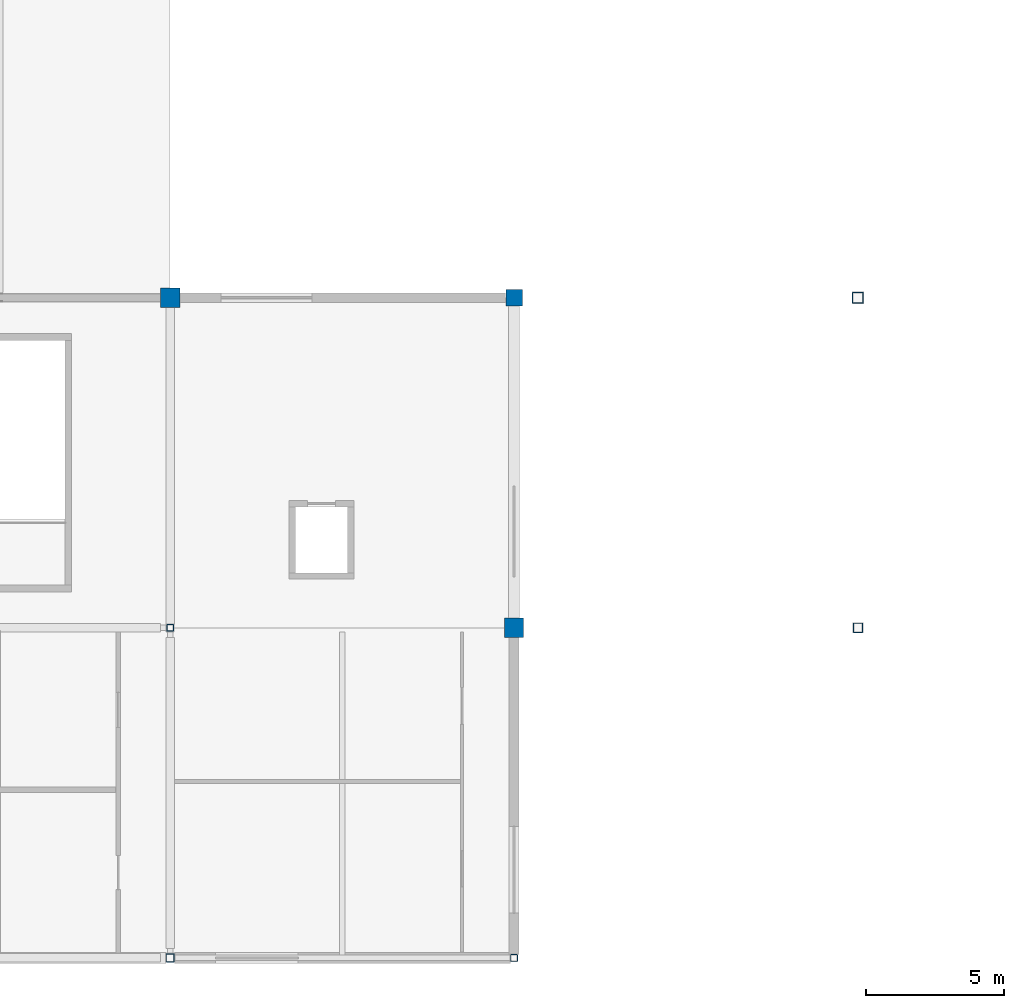
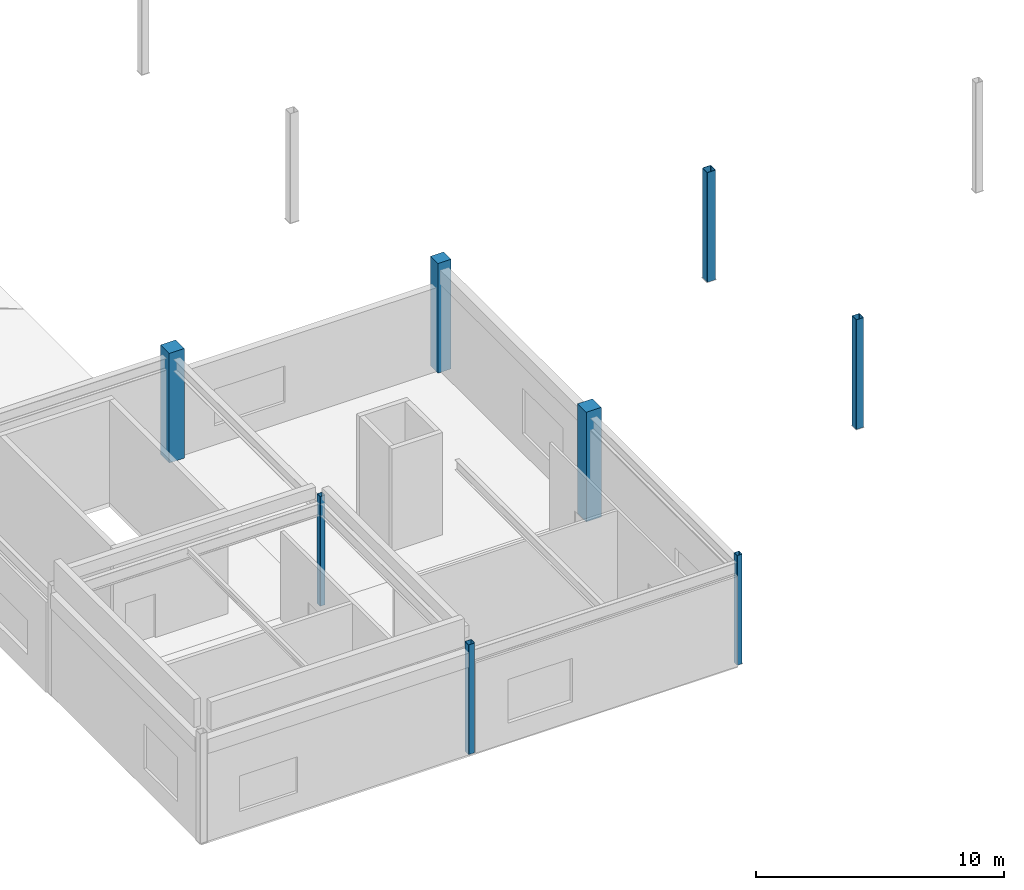
# One storey, part 2 of 76: 8 columns.
"""IFC4 building model written with IfcOpenShell, lengths in metres."""

from ifc_helpers import new_model, si_unit, direction, frame, origin, origin_2d, place, context, subcontext, project, spatial, rectangle, hollow_rectangle, extrude, material, material_profile, profile_set, type_object, element, save


model = new_model("IFC4")

# Units and contexts
model_context = context("Model", 3, precision=1e-05, world=origin(), true_north=direction((0.0, 1.0)))
body_context = subcontext(model_context, "Body", "Model", "MODEL_VIEW")
ifc_project = project(units=[si_unit("LENGTHUNIT", "METRE"), si_unit("AREAUNIT", "SQUARE_METRE"), si_unit("VOLUMEUNIT", "CUBIC_METRE"), si_unit("PLANEANGLEUNIT", "RADIAN"), si_unit("MASSUNIT", "GRAM", prefix="KILO")], contexts=[model_context])

# Site, building, storey
site_placement = place(None, origin())
site = spatial("IfcSite", under=ifc_project, at=site_placement, CompositionType="ELEMENT")
building_placement = place(site_placement, origin())
building = spatial("IfcBuilding", under=site, at=building_placement, Name="Kazenohara Klinker Stadium", CompositionType="ELEMENT")
storey_placement = place(building_placement, frame((0.0, 0.0, 25.800048828125)))
storey = spatial("IfcBuildingStorey", under=building, at=storey_placement, Name="L05", CompositionType="ELEMENT", Elevation=25.800048828125)

# Columns
ifc_material_1 = material(Name="Concrete C40/50", Category="concrete")
ifc_material_profile_1 = material_profile(ifc_material_1, rectangle(XDim=0.699951171875, YDim=0.699951171875, at=origin_2d()), Name="RC-COL-700x700")
ifc_profile_set_1 = profile_set([ifc_material_profile_1], Name="Concrete C40/50")
column_type_1 = type_object("IfcColumnType", Name="COL-RC06", PredefinedType="COLUMN", material=ifc_profile_set_1)
for number, where, z_axis, x_axis, name in (
    (1, (36.5, 36.0, 0.0), (0.0, 0.0, 1.0), (1.0, 0.0, 0.0), "Column C06 L05 4/D"),
    (2, (49.0, 24.0, 0.0), (0.0, 0.0, 1.0), (1.0, 0.0, 0.0), "Column C06 L05 5/C"),
):
    element("IfcColumn", number, at=place(storey_placement, frame(where, z_axis=z_axis, x_axis=x_axis)), inside=storey, type_object=column_type_1, Name=name, PredefinedType="COLUMN", context=body_context, shape_type="SweptSolid", body=[
        extrude(rectangle(XDim=0.699951171875, YDim=0.699951171875, at=origin_2d()), origin(), (0.0, 0.0, 1.0), 5.39990234375),
    ])
ifc_material_profile_2 = material_profile(ifc_material_1, rectangle(XDim=0.60009765625, YDim=0.60009765625, at=origin_2d()), Name="RC-COL-600x600")
ifc_profile_set_2 = profile_set([ifc_material_profile_2], Name="Concrete C40/50")
column_type_2 = type_object("IfcColumnType", Name="COL-RC07", PredefinedType="COLUMN", material=ifc_profile_set_2)
column_1_placement = place(storey_placement, frame((49.0, 36.0, 0.0), z_axis=(0.0, 0.0, 1.0), x_axis=(1.0, 0.0, 0.0)))
element("IfcColumn", 3, at=column_1_placement, inside=storey, type_object=column_type_2, Name="Column C07 L05 5/D", PredefinedType="COLUMN", context=body_context, shape_type="SweptSolid", body=[
    extrude(rectangle(XDim=0.60009765625, YDim=0.60009765625, at=origin_2d()), origin(), (0.0, 0.0, 1.0), 5.39990234375),
])
ifc_material_2 = material(Name="Steel S355", Category="steel")
ifc_material_profile_3 = material_profile(ifc_material_2, hollow_rectangle(XDim=0.39990234375, YDim=0.39990234375, WallThickness=0.01611328125, InnerFilletRadius=0.01611328125, OuterFilletRadius=0.031982421875, at=origin_2d()), Name="SHS-400x400x16")
ifc_profile_set_3 = profile_set([ifc_material_profile_3], Name="Steel S355")
column_type_3 = type_object("IfcColumnType", Name="COL-ST01", PredefinedType="COLUMN", material=ifc_profile_set_3)
column_2_placement = place(storey_placement, frame((61.5, 36.0, 0.0), z_axis=(0.0, 0.0, 1.0), x_axis=(1.0, 0.0, 0.0)))
element("IfcColumn", 4, at=column_2_placement, inside=storey, type_object=column_type_3, Name="Canopy ring support column SC01 L05 6/D", PredefinedType="COLUMN", context=body_context, shape_type="SweptSolid", body=[
    extrude(hollow_rectangle(XDim=0.39990234375, YDim=0.39990234375, WallThickness=0.01611328125, InnerFilletRadius=0.01611328125, OuterFilletRadius=0.031982421875, at=origin_2d()), origin(), (0.0, 0.0, 1.0), 5.39990234375),
])
ifc_material_profile_4 = material_profile(ifc_material_2, hollow_rectangle(XDim=0.35009765625, YDim=0.35009765625, WallThickness=0.01611328125, InnerFilletRadius=0.01611328125, OuterFilletRadius=0.031982421875, at=origin_2d()), Name="SHS-350x350x16")
ifc_profile_set_4 = profile_set([ifc_material_profile_4], Name="Steel S355")
column_type_4 = type_object("IfcColumnType", Name="COL-ST02", PredefinedType="COLUMN", material=ifc_profile_set_4)
column_3_placement = place(storey_placement, frame((61.5, 24.0, 0.0), z_axis=(0.0, 0.0, 1.0), x_axis=(1.0, 0.0, 0.0)))
element("IfcColumn", 5, at=column_3_placement, inside=storey, type_object=column_type_4, Name="Canopy ring support column SC02 L05 6/C", PredefinedType="COLUMN", context=body_context, shape_type="SweptSolid", body=[
    extrude(hollow_rectangle(XDim=0.35009765625, YDim=0.35009765625, WallThickness=0.01611328125, InnerFilletRadius=0.01611328125, OuterFilletRadius=0.031982421875, at=origin_2d()), origin(), (0.0, 0.0, 1.0), 5.39990234375),
])
ifc_material_profile_5 = material_profile(ifc_material_2, hollow_rectangle(XDim=0.300048828125, YDim=0.300048828125, WallThickness=0.011962890625, InnerFilletRadius=0.011962890625, OuterFilletRadius=0.02392578125, at=origin_2d()), Name="SHS-300x300x12")
ifc_profile_set_5 = profile_set([ifc_material_profile_5], Name="Steel S355")
column_type_5 = type_object("IfcColumnType", Name="COL-ST03", PredefinedType="COLUMN", material=ifc_profile_set_5)
column_4_placement = place(storey_placement, frame((36.5, 12.0, 0.0), z_axis=(0.0, 0.0, 1.0), x_axis=(1.0, 0.0, 0.0)))
element("IfcColumn", 6, at=column_4_placement, inside=storey, type_object=column_type_5, Name="Column SC03 L05 4/B", PredefinedType="COLUMN", context=body_context, shape_type="SweptSolid", body=[
    extrude(hollow_rectangle(XDim=0.300048828125, YDim=0.300048828125, WallThickness=0.011962890625, InnerFilletRadius=0.011962890625, OuterFilletRadius=0.02392578125, at=origin_2d()), origin(), (0.0, 0.0, 1.0), 5.39990234375),
])
ifc_material_profile_6 = material_profile(ifc_material_2, hollow_rectangle(XDim=0.25, YDim=0.25, WallThickness=0.011962890625, InnerFilletRadius=0.011962890625, OuterFilletRadius=0.02392578125, at=origin_2d()), Name="SHS-250x250x12")
ifc_profile_set_6 = profile_set([ifc_material_profile_6], Name="Steel S355")
column_type_6 = type_object("IfcColumnType", Name="COL-ST04", PredefinedType="COLUMN", material=ifc_profile_set_6)
for number, where, z_axis, x_axis, name in (
    (7, (36.5, 24.0, 0.0), (0.0, 0.0, 1.0), (1.0, 0.0, 0.0), "Column SC04 L05 4/C"),
    (8, (49.0, 12.0, 0.0), (0.0, 0.0, 1.0), (1.0, 0.0, 0.0), "Column SC04 L05 5/B"),
):
    element("IfcColumn", number, at=place(storey_placement, frame(where, z_axis=z_axis, x_axis=x_axis)), inside=storey, type_object=column_type_6, Name=name, PredefinedType="COLUMN", context=body_context, shape_type="SweptSolid", body=[
        extrude(hollow_rectangle(XDim=0.25, YDim=0.25, WallThickness=0.011962890625, InnerFilletRadius=0.011962890625, OuterFilletRadius=0.02392578125, at=origin_2d()), origin(), (0.0, 0.0, 1.0), 5.39990234375),
    ])

save(model, "model.ifc")
